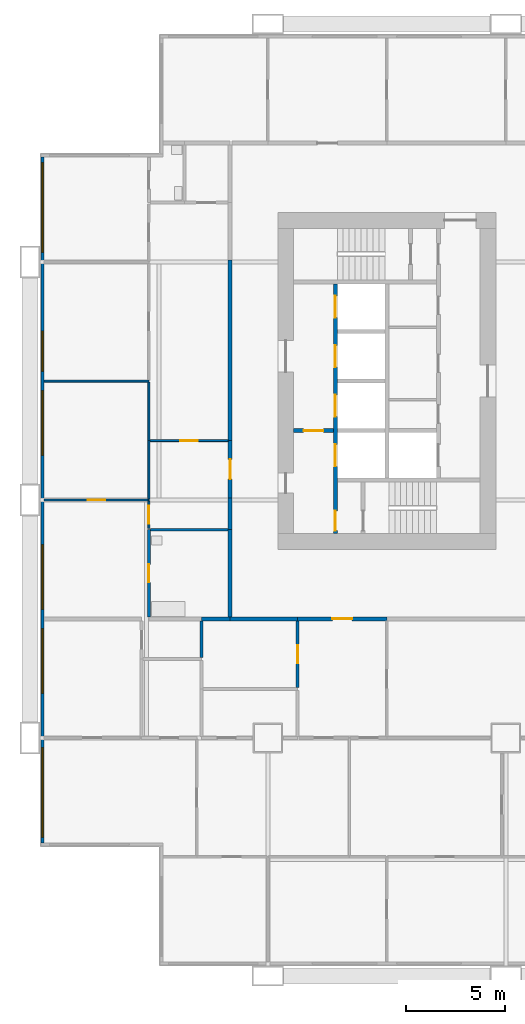
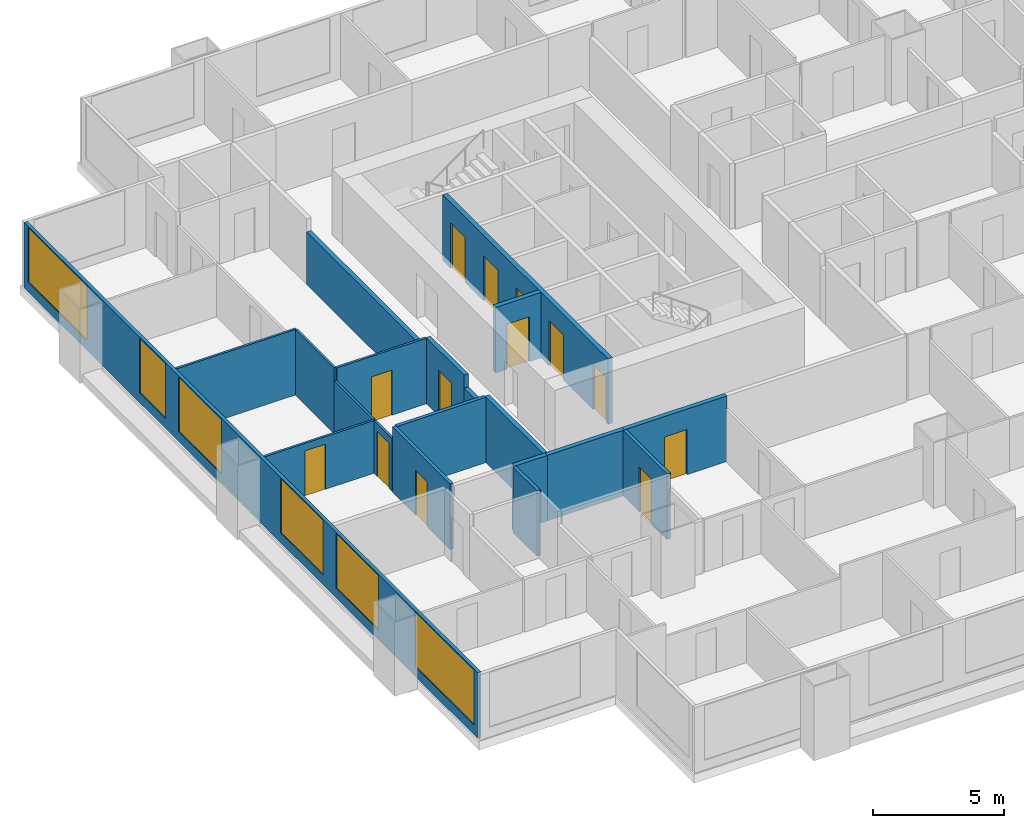
# One storey, part 3 of 14: 20 walls, 13 doors, 6 windows, 19 openings.
"""IFC4 building model written with IfcOpenShell, lengths in metres."""

from ifc_helpers import new_model, si_unit, direction, frame, frame_2d, origin, place, context, subcontext, project, spatial, rectangle, extrude, material, layer, layer_set, type_object, element, fill, save


model = new_model("IFC4")

# Units and contexts
model_context = context("Model", 3, precision=1e-05, world=origin(), true_north=direction((0.0, 1.0)))
body_context = subcontext(model_context, "Body", "Model", "MODEL_VIEW")
ifc_project = project(units=[si_unit("LENGTHUNIT", "METRE"), si_unit("AREAUNIT", "SQUARE_METRE"), si_unit("VOLUMEUNIT", "CUBIC_METRE"), si_unit("PLANEANGLEUNIT", "RADIAN"), si_unit("MASSUNIT", "GRAM", prefix="KILO")], contexts=[model_context])

# Site, building, storey
site_placement = place(None, origin())
site = spatial("IfcSite", under=ifc_project, at=site_placement, CompositionType="ELEMENT")
building_placement = place(site_placement, origin())
building = spatial("IfcBuilding", under=site, at=building_placement, Name="Kitamizu Gate Tower and Museum", CompositionType="ELEMENT")
storey_placement = place(building_placement, frame((0.0, 0.0, 67.949951171875)))
storey = spatial("IfcBuildingStorey", under=building, at=storey_placement, Name="L16", CompositionType="ELEMENT", Elevation=67.949951171875)

# Wall, opening, door
ifc_material_1 = material(Name="Gypsum board on galvanised stud")
ifc_layer_1 = layer(ifc_material_1, 0.10009765625)
ifc_layer_set_1 = layer_set([ifc_layer_1], Name="Gypsum board on galvanised stud")
wall_type_1 = type_object("IfcWallType", Name="Partition 100 NOT RATED", PredefinedType="PARTITIONING", material=ifc_layer_set_1)
wall_1_placement = place(storey_placement, frame((6.0, 24.0, 0.0), z_axis=(0.0, 0.0, 1.0), x_axis=(-1.0, 0.0, 0.0)))
wall_1 = element("IfcWall", 1, at=wall_1_placement, inside=storey, type_object=wall_type_1, Name="Partition L16-128", PredefinedType="PARTITIONING", context=body_context, shape_type="SweptSolid", body=[
    extrude(rectangle(XDim=5.280029296875, YDim=0.10009765625, at=frame_2d((2.64013671875, 0.0))), origin(), (0.0, 0.0, 1.0), 2.449951171875),
])
opening_1_placement = place(wall_1_placement, frame((2.18994140625, 0.0, 0.0)))
opening_1 = element("IfcOpeningElement", 2, at=opening_1_placement, cuts=wall_1, Name="Opening L16-052", PredefinedType="OPENING", context=body_context, shape_type="SweptSolid", body=[
    extrude(rectangle(XDim=0.89990234375, YDim=2.10009765625, at=frame_2d((0.449951171875, 1.050048828125))), frame((0.0, 0.06005859375, 0.0), z_axis=(0.0, -1.0, 0.0), x_axis=(1.0, 0.0, 0.0)), (0.0, 0.0, 1.0), 0.1201171875),
])
ifc_material_2 = material(Name="Timber door set", Category="wood")
door_type_1 = type_object("IfcDoorType", Name="Room door 900", OperationType="NOTDEFINED", PredefinedType="DOOR", material=ifc_material_2)
door_1_placement = place(opening_1_placement, origin())
door_1 = element("IfcDoor", 3, at=door_1_placement, inside=storey, type_object=door_type_1, Name="Door L16-052", OperationType="SINGLE_SWING_RIGHT", OverallHeight=2.10009765625, OverallWidth=0.89990234375, PredefinedType="DOOR", context=body_context, shape_type="SweptSolid", body=[
    extrude(rectangle(XDim=0.89990234375, YDim=2.10009765625, at=frame_2d((0.449951171875, 1.050048828125))), frame((0.0, 0.02490234375, 0.0), z_axis=(0.0, -1.0, 0.0), x_axis=(1.0, 0.0, 0.0)), (0.0, 0.0, 1.0), 0.050048828125),
])
fill(opening_1, door_1)

wall_2_placement = place(storey_placement, frame((6.0, 22.574951171875, 0.0), z_axis=(0.0, 0.0, 1.0), x_axis=(0.0, 1.0, 0.0)))
wall_2 = element("IfcWall", 4, at=wall_2_placement, inside=storey, type_object=wall_type_1, Name="Partition L16-130", PredefinedType="PARTITIONING", context=body_context, shape_type="SweptSolid", body=[
    extrude(rectangle(XDim=1.375, YDim=0.10009765625, at=frame_2d((0.6875, 0.0))), origin(), (0.0, 0.0, 1.0), 2.449951171875),
])
opening_2_placement = place(wall_2_placement, frame((0.237548828125, 0.0, 0.0)))
opening_2 = element("IfcOpeningElement", 5, at=opening_2_placement, cuts=wall_2, Name="Opening L16-048", PredefinedType="OPENING", context=body_context, shape_type="SweptSolid", body=[
    extrude(rectangle(XDim=0.89990234375, YDim=2.10009765625, at=frame_2d((0.449951171875, 1.050048828125))), frame((0.0, 0.06005859375, 0.0), z_axis=(0.0, -1.0, 0.0), x_axis=(1.0, 0.0, 0.0)), (0.0, 0.0, 1.0), 0.1201171875),
])
door_2_placement = place(opening_2_placement, origin())
door_2 = element("IfcDoor", 6, at=door_2_placement, inside=storey, type_object=door_type_1, Name="Door L16-048", OperationType="SINGLE_SWING_LEFT", OverallHeight=2.10009765625, OverallWidth=0.89990234375, PredefinedType="DOOR", context=body_context, shape_type="SweptSolid", body=[
    extrude(rectangle(XDim=0.89990234375, YDim=2.10009765625, at=frame_2d((0.449951171875, 1.050048828125))), frame((0.0, 0.02490234375, 0.0), z_axis=(0.0, -1.0, 0.0), x_axis=(1.0, 0.0, 0.0)), (0.0, 0.0, 1.0), 0.050048828125),
])
fill(opening_2, door_2)

# Walls
wall_3_placement = place(storey_placement, frame((6.0, 30.0, 0.0), z_axis=(0.0, 0.0, 1.0), x_axis=(-1.0, 0.0, 0.0)))
element("IfcWall", 7, at=wall_3_placement, inside=storey, type_object=wall_type_1, Name="Partition L16-131", PredefinedType="PARTITIONING", context=body_context, shape_type="SweptSolid", body=[
    extrude(rectangle(XDim=5.280029296875, YDim=0.10009765625, at=frame_2d((2.64013671875, 0.0))), origin(), (0.0, 0.0, 1.0), 3.050048828125),
])
wall_4_placement = place(storey_placement, frame((6.0, 24.050048828125, 0.0), z_axis=(0.0, 0.0, 1.0), x_axis=(0.0, 1.0, 0.0)))
element("IfcWall", 8, at=wall_4_placement, inside=storey, type_object=wall_type_1, Name="Partition L16-132", PredefinedType="PARTITIONING", context=body_context, shape_type="SweptSolid", body=[
    extrude(rectangle(XDim=2.949951171875, YDim=0.10009765625, at=frame_2d((1.47509765625, 0.0))), origin(), (0.0, 0.0, 1.0), 2.449951171875),
])
wall_5_placement = place(storey_placement, frame((6.0, 27.0, 0.0), z_axis=(0.0, 0.0, 1.0), x_axis=(0.0, 1.0, 0.0)))
element("IfcWall", 9, at=wall_5_placement, inside=storey, type_object=wall_type_1, Name="Partition L16-133", PredefinedType="PARTITIONING", context=body_context, shape_type="SweptSolid", body=[
    extrude(rectangle(XDim=2.949951171875, YDim=0.10009765625, at=frame_2d((1.47509765625, 0.0))), origin(), (0.0, 0.0, 1.0), 3.050048828125),
])

# Wall, opening, door
wall_6_placement = place(storey_placement, frame((10.0, 27.0, 0.0), z_axis=(0.0, 0.0, 1.0), x_axis=(-1.0, 0.0, 0.0)))
wall_6 = element("IfcWall", 10, at=wall_6_placement, inside=storey, type_object=wall_type_1, Name="Partition L16-140", PredefinedType="PARTITIONING", context=body_context, shape_type="SweptSolid", body=[
    extrude(rectangle(XDim=3.949951171875, YDim=0.10009765625, at=frame_2d((1.97509765625, 0.0))), origin(), (0.0, 0.0, 1.0), 3.050048828125),
])
opening_3_placement = place(wall_6_placement, frame((1.52490234375, 0.0, 0.0)))
opening_3 = element("IfcOpeningElement", 11, at=opening_3_placement, cuts=wall_6, Name="Opening L16-049", PredefinedType="OPENING", context=body_context, shape_type="SweptSolid", body=[
    extrude(rectangle(XDim=0.89990234375, YDim=2.10009765625, at=frame_2d((0.449951171875, 1.050048828125))), frame((0.0, 0.06005859375, 0.0), z_axis=(0.0, -1.0, 0.0), x_axis=(1.0, 0.0, 0.0)), (0.0, 0.0, 1.0), 0.1201171875),
])
door_3_placement = place(opening_3_placement, origin())
door_3 = element("IfcDoor", 12, at=door_3_placement, inside=storey, type_object=door_type_1, Name="Door L16-049", OperationType="SINGLE_SWING_RIGHT", OverallHeight=2.10009765625, OverallWidth=0.89990234375, PredefinedType="DOOR", context=body_context, shape_type="SweptSolid", body=[
    extrude(rectangle(XDim=0.89990234375, YDim=2.10009765625, at=frame_2d((0.449951171875, 1.050048828125))), frame((0.0, 0.02490234375, 0.0), z_axis=(0.0, -1.0, 0.0), x_axis=(1.0, 0.0, 0.0)), (0.0, 0.0, 1.0), 0.050048828125),
])
fill(opening_3, door_3)

# Wall
ifc_material_3 = material(Name="Gypsum board on galvanised stud")
ifc_layer_2 = layer(ifc_material_3, 0.14990234375)
ifc_layer_set_2 = layer_set([ifc_layer_2], Name="Gypsum board on galvanised stud")
wall_type_2 = type_object("IfcWallType", Name="Partition 150", PredefinedType="PARTITIONING", material=ifc_layer_set_2)
wall_7_placement = place(storey_placement, frame((8.64404296875, 16.06005859375, 0.0), z_axis=(0.0, 0.0, 1.0), x_axis=(0.0, 1.0, 0.0)))
element("IfcWall", 13, at=wall_7_placement, inside=storey, type_object=wall_type_2, Name="Partition L16-037", PredefinedType="PARTITIONING", context=body_context, shape_type="SweptSolid", body=[
    extrude(rectangle(XDim=1.83984375, YDim=0.14990234375, at=frame_2d((0.919921875, 0.0))), origin(), (0.0, 0.0, 1.0), 3.050048828125),
])

# Wall, opening, door
wall_8_placement = place(storey_placement, frame((13.5, 14.5458984375, 0.0), z_axis=(0.0, 0.0, 1.0), x_axis=(0.0, 1.0, 0.0)))
wall_8 = element("IfcWall", 14, at=wall_8_placement, inside=storey, type_object=wall_type_2, Name="Partition L16-041", PredefinedType="PARTITIONING", context=body_context, shape_type="SweptSolid", body=[
    extrude(rectangle(XDim=3.35400390625, YDim=0.14990234375, at=frame_2d((1.677001953125, 0.0))), origin(), (0.0, 0.0, 1.0), 3.050048828125),
])
opening_4_placement = place(wall_8_placement, frame((1.22705078125, 0.0, 0.0)))
opening_4 = element("IfcOpeningElement", 15, at=opening_4_placement, cuts=wall_8, Name="Opening L16-015", PredefinedType="OPENING", context=body_context, shape_type="SweptSolid", body=[
    extrude(rectangle(XDim=0.89990234375, YDim=2.10009765625, at=frame_2d((0.449951171875, 1.050048828125))), frame((0.0, 0.0849609375, 0.0), z_axis=(0.0, -1.0, 0.0), x_axis=(1.0, 0.0, 0.0)), (0.0, 0.0, 1.0), 0.169921875),
])
ifc_material_4 = material(Name="Timber door set", Category="wood")
door_type_2 = type_object("IfcDoorType", Name="Bathroom door 900", OperationType="NOTDEFINED", PredefinedType="DOOR", material=ifc_material_4)
door_4_placement = place(opening_4_placement, origin())
door_4 = element("IfcDoor", 16, at=door_4_placement, inside=storey, type_object=door_type_2, Name="Bathroom door L16-015", OperationType="SINGLE_SWING_LEFT", OverallHeight=2.10009765625, OverallWidth=0.89990234375, PredefinedType="DOOR", context=body_context, shape_type="SweptSolid", body=[
    extrude(rectangle(XDim=0.89990234375, YDim=2.10009765625, at=frame_2d((0.449951171875, 1.050048828125))), frame((0.0, 0.02490234375, 0.0), z_axis=(0.0, -1.0, 0.0), x_axis=(1.0, 0.0, 0.0)), (0.0, 0.0, 1.0), 0.050048828125),
])
fill(opening_4, door_4)

wall_9_placement = place(storey_placement, frame((6.0, 18.10009765625, 0.0), z_axis=(0.0, 0.0, 1.0), x_axis=(0.0, 1.0, 0.0)))
wall_9 = element("IfcWall", 17, at=wall_9_placement, inside=storey, type_object=wall_type_2, Name="Partition L16-129", PredefinedType="PARTITIONING", context=body_context, shape_type="SweptSolid", body=[
    extrude(rectangle(XDim=4.39990234375, YDim=0.14990234375, at=frame_2d((2.199951171875, 0.0))), origin(), (0.0, 0.0, 1.0), 3.050048828125),
])
opening_5_placement = place(wall_9_placement, frame((1.75, 0.0, 0.0)))
opening_5 = element("IfcOpeningElement", 18, at=opening_5_placement, cuts=wall_9, Name="Opening L16-053", PredefinedType="OPENING", context=body_context, shape_type="SweptSolid", body=[
    extrude(rectangle(XDim=0.89990234375, YDim=2.10009765625, at=frame_2d((0.449951171875, 1.050048828125))), frame((0.0, 0.0849609375, 0.0), z_axis=(0.0, -1.0, 0.0), x_axis=(1.0, 0.0, 0.0)), (0.0, 0.0, 1.0), 0.169921875),
])
door_5_placement = place(opening_5_placement, frame((0.89990234375, 0.0, 0.0), x_axis=(-1.0, 0.0, 0.0)))
door_5 = element("IfcDoor", 19, at=door_5_placement, inside=storey, type_object=door_type_2, Name="Bathroom door L16-053", OperationType="SINGLE_SWING_RIGHT", OverallHeight=2.10009765625, OverallWidth=0.89990234375, PredefinedType="DOOR", context=body_context, shape_type="SweptSolid", body=[
    extrude(rectangle(XDim=0.89990234375, YDim=2.10009765625, at=frame_2d((0.449951171875, 1.050048828125))), frame((0.0, 0.02490234375, 0.0), z_axis=(0.0, -1.0, 0.0), x_axis=(1.0, 0.0, 0.0)), (0.0, 0.0, 1.0), 0.050048828125),
])
fill(opening_5, door_5)

# Walls
wall_10_placement = place(storey_placement, frame((10.0, 22.5, 0.0), z_axis=(0.0, 0.0, 1.0), x_axis=(-1.0, 0.0, 0.0)))
element("IfcWall", 20, at=wall_10_placement, inside=storey, type_object=wall_type_2, Name="Partition L16-138", PredefinedType="PARTITIONING", context=body_context, shape_type="SweptSolid", body=[
    extrude(rectangle(XDim=3.925048828125, YDim=0.14990234375, at=frame_2d((1.96240234375, 0.0))), origin(), (0.0, 0.0, 1.0), 3.050048828125),
])
ifc_material_5 = material(Name="Gypsum board on galvanised stud")
ifc_layer_3 = layer(ifc_material_5, 0.199951171875)
ifc_layer_set_3 = layer_set([ifc_layer_3], Name="Gypsum board on galvanised stud")
wall_type_3 = type_object("IfcWallType", Name="Partition 200", PredefinedType="PARTITIONING", material=ifc_layer_set_3)
wall_11_placement = place(storey_placement, frame((10.10009765625, 18.0, 0.0), z_axis=(0.0, 0.0, 1.0), x_axis=(-1.0, 0.0, 0.0)))
element("IfcWall", 21, at=wall_11_placement, inside=storey, type_object=wall_type_3, Name="Partition L16-042", PredefinedType="PARTITIONING", context=body_context, shape_type="SweptSolid", body=[
    extrude(rectangle(XDim=1.4560546875, YDim=0.199951171875, at=frame_2d((0.72802734375, 0.0))), origin(), (0.0, 0.0, 1.0), 3.050048828125),
])
wall_12_placement = place(storey_placement, frame((13.5, 18.0, 0.0), z_axis=(0.0, 0.0, 1.0), x_axis=(-1.0, 0.0, 0.0)))
element("IfcWall", 22, at=wall_12_placement, inside=storey, type_object=wall_type_3, Name="Partition L16-043", PredefinedType="PARTITIONING", context=body_context, shape_type="SweptSolid", body=[
    extrude(rectangle(XDim=3.39990234375, YDim=0.199951171875, at=frame_2d((1.699951171875, 0.0))), origin(), (0.0, 0.0, 1.0), 3.050048828125),
])

# Wall, opening, door
wall_13_placement = place(storey_placement, frame((18.0, 18.0, 0.0), z_axis=(0.0, 0.0, 1.0), x_axis=(-1.0, 0.0, 0.0)))
wall_13 = element("IfcWall", 23, at=wall_13_placement, inside=storey, type_object=wall_type_3, Name="Partition L16-045", PredefinedType="PARTITIONING", context=body_context, shape_type="SweptSolid", body=[
    extrude(rectangle(XDim=4.5, YDim=0.199951171875, at=frame_2d((2.25, 0.0))), origin(), (0.0, 0.0, 1.0), 3.050048828125),
])
opening_6_placement = place(wall_13_placement, frame((1.75, 0.0, 0.0)))
opening_6 = element("IfcOpeningElement", 24, at=opening_6_placement, cuts=wall_13, Name="Opening L16-001", PredefinedType="OPENING", context=body_context, shape_type="SweptSolid", body=[
    extrude(rectangle(XDim=1.0, YDim=2.10009765625, at=frame_2d((0.5, 1.050048828125))), frame((0.0, 0.10986328125, 0.0), z_axis=(0.0, -1.0, 0.0), x_axis=(1.0, 0.0, 0.0)), (0.0, 0.0, 1.0), 0.219970703125),
])
ifc_material_6 = material(Name="Timber door set", Category="wood")
door_type_3 = type_object("IfcDoorType", Name="Flat entrance door 1000", OperationType="NOTDEFINED", PredefinedType="DOOR", material=ifc_material_6)
door_6_placement = place(opening_6_placement, origin())
door_6 = element("IfcDoor", 25, at=door_6_placement, inside=storey, type_object=door_type_3, Name="Flat entrance door L16-001", OperationType="SINGLE_SWING_RIGHT", OverallHeight=2.10009765625, OverallWidth=1.0, PredefinedType="DOOR", context=body_context, shape_type="SweptSolid", body=[
    extrude(rectangle(XDim=1.0, YDim=2.10009765625, at=frame_2d((0.5, 1.050048828125))), frame((0.0, 0.02490234375, 0.0), z_axis=(0.0, -1.0, 0.0), x_axis=(1.0, 0.0, 0.0)), (0.0, 0.0, 1.0), 0.050048828125),
])
fill(opening_6, door_6)

# Walls
wall_14_placement = place(storey_placement, frame((10.10009765625, 18.10009765625, 0.0), z_axis=(0.0, 0.0, 1.0), x_axis=(0.0, 1.0, 0.0)))
element("IfcWall", 26, at=wall_14_placement, inside=storey, type_object=wall_type_3, Name="Partition L16-139", PredefinedType="PARTITIONING", context=body_context, shape_type="SweptSolid", body=[
    extrude(rectangle(XDim=4.39990234375, YDim=0.199951171875, at=frame_2d((2.199951171875, 0.0))), origin(), (0.0, 0.0, 1.0), 3.050048828125),
])
wall_15_placement = place(storey_placement, frame((10.10009765625, 22.5, 0.0), z_axis=(0.0, 0.0, 1.0), x_axis=(0.0, 1.0, 0.0)))
element("IfcWall", 27, at=wall_15_placement, inside=storey, type_object=wall_type_3, Name="Partition L16-141", PredefinedType="PARTITIONING", context=body_context, shape_type="SweptSolid", body=[
    extrude(rectangle(XDim=1.60009765625, YDim=0.199951171875, at=frame_2d((0.800048828125, 0.0))), origin(), (0.0, 0.0, 1.0), 2.449951171875),
])

# Wall, opening, door
wall_16_placement = place(storey_placement, frame((10.10009765625, 24.10009765625, 0.0), z_axis=(0.0, 0.0, 1.0), x_axis=(0.0, 1.0, 0.0)))
wall_16 = element("IfcWall", 28, at=wall_16_placement, inside=storey, type_object=wall_type_3, Name="Partition L16-142", PredefinedType="PARTITIONING", context=body_context, shape_type="SweptSolid", body=[
    extrude(rectangle(XDim=2.89990234375, YDim=0.199951171875, at=frame_2d((1.449951171875, 0.0))), origin(), (0.0, 0.0, 1.0), 3.050048828125),
])
opening_7_placement = place(wall_16_placement, frame((0.949951171875, 0.0, 0.0)))
opening_7 = element("IfcOpeningElement", 29, at=opening_7_placement, cuts=wall_16, Name="Opening L16-047", PredefinedType="OPENING", context=body_context, shape_type="SweptSolid", body=[
    extrude(rectangle(XDim=1.0, YDim=2.10009765625, at=frame_2d((0.5, 1.050048828125))), frame((0.0, 0.10986328125, 0.0), z_axis=(0.0, -1.0, 0.0), x_axis=(1.0, 0.0, 0.0)), (0.0, 0.0, 1.0), 0.219970703125),
])
door_7_placement = place(opening_7_placement, origin())
door_7 = element("IfcDoor", 30, at=door_7_placement, inside=storey, type_object=door_type_3, Name="Flat entrance door L16-047", OperationType="SINGLE_SWING_LEFT", OverallHeight=2.10009765625, OverallWidth=1.0, PredefinedType="DOOR", context=body_context, shape_type="SweptSolid", body=[
    extrude(rectangle(XDim=1.0, YDim=2.10009765625, at=frame_2d((0.5, 1.050048828125))), frame((0.0, 0.02490234375, 0.0), z_axis=(0.0, -1.0, 0.0), x_axis=(1.0, 0.0, 0.0)), (0.0, 0.0, 1.0), 0.050048828125),
])
fill(opening_7, door_7)

# Wall
wall_17_placement = place(storey_placement, frame((10.10009765625, 27.0, 0.0), z_axis=(0.0, 0.0, 1.0), x_axis=(0.0, 1.0, 0.0)))
element("IfcWall", 31, at=wall_17_placement, inside=storey, type_object=wall_type_3, Name="Partition L16-145", PredefinedType="PARTITIONING", context=body_context, shape_type="SweptSolid", body=[
    extrude(rectangle(XDim=9.10009765625, YDim=0.199951171875, at=frame_2d((4.550048828125, 0.0))), origin(), (0.0, 0.0, 1.0), 2.449951171875),
])

# Wall, openings, doors
ifc_material_7 = material(Name="Concrete Fc42", Category="concrete")
ifc_layer_4 = layer(ifc_material_7, 0.199951171875)
ifc_layer_set_4 = layer_set([ifc_layer_4], Name="Concrete Fc42")
wall_type_4 = type_object("IfcWallType", Name="Shaft wall 200", PredefinedType="SOLIDWALL", material=ifc_layer_set_4)
wall_18_placement = place(storey_placement, frame((15.39990234375, 22.300048828125, 0.0), z_axis=(0.0, 0.0, 1.0), x_axis=(0.0, 1.0, 0.0)))
wall_18 = element("IfcWall", 32, at=wall_18_placement, inside=storey, type_object=wall_type_4, Name="Shaft wall WWEST", PredefinedType="SOLIDWALL", context=body_context, shape_type="SweptSolid", body=[
    extrude(rectangle(XDim=12.599853515625, YDim=0.199951171875, at=frame_2d((6.2998046875, 0.0))), origin(), (0.0, 0.0, 1.0), 3.050048828125),
])
opening_8_placement = place(wall_18_placement, frame((3.39990234375, 0.0, 0.0)))
opening_8 = element("IfcOpeningElement", 33, at=opening_8_placement, cuts=wall_18, Name="Opening LD", PredefinedType="OPENING", context=body_context, shape_type="SweptSolid", body=[
    extrude(rectangle(XDim=1.10009765625, YDim=2.10009765625, at=frame_2d((0.550048828125, 1.050048828125))), frame((0.0, 0.10986328125, 0.0), z_axis=(0.0, -1.0, 0.0), x_axis=(1.0, 0.0, 0.0)), (0.0, 0.0, 1.0), 0.219970703125),
])
opening_9_placement = place(wall_18_placement, frame((5.89990234375, 0.0, 0.0)))
opening_9 = element("IfcOpeningElement", 34, at=opening_9_placement, cuts=wall_18, Name="Opening LD", PredefinedType="OPENING", context=body_context, shape_type="SweptSolid", body=[
    extrude(rectangle(XDim=1.10009765625, YDim=2.10009765625, at=frame_2d((0.550048828125, 1.050048828125))), frame((0.0, 0.10986328125, 0.0), z_axis=(0.0, -1.0, 0.0), x_axis=(1.0, 0.0, 0.0)), (0.0, 0.0, 1.0), 0.219970703125),
])
opening_10_placement = place(wall_18_placement, frame((8.39990234375, 0.0, 0.0)))
opening_10 = element("IfcOpeningElement", 35, at=opening_10_placement, cuts=wall_18, Name="Opening LD", PredefinedType="OPENING", context=body_context, shape_type="SweptSolid", body=[
    extrude(rectangle(XDim=1.10009765625, YDim=2.10009765625, at=frame_2d((0.550048828125, 1.050048828125))), frame((0.0, 0.10986328125, 0.0), z_axis=(0.0, -1.0, 0.0), x_axis=(1.0, 0.0, 0.0)), (0.0, 0.0, 1.0), 0.219970703125),
])
opening_11_placement = place(wall_18_placement, frame((10.89990234375, 0.0, 0.0)))
opening_11 = element("IfcOpeningElement", 36, at=opening_11_placement, cuts=wall_18, Name="Opening LD", PredefinedType="OPENING", context=body_context, shape_type="SweptSolid", body=[
    extrude(rectangle(XDim=1.10009765625, YDim=2.10009765625, at=frame_2d((0.550048828125, 1.050048828125))), frame((0.0, 0.10986328125, 0.0), z_axis=(0.0, -1.0, 0.0), x_axis=(1.0, 0.0, 0.0)), (0.0, 0.0, 1.0), 0.219970703125),
])
opening_12_placement = place(wall_18_placement, frame((0.14990234375, 0.0, 0.0)))
opening_12 = element("IfcOpeningElement", 37, at=opening_12_placement, cuts=wall_18, Name="Opening L16-086", PredefinedType="OPENING", context=body_context, shape_type="SweptSolid", body=[
    extrude(rectangle(XDim=1.0, YDim=2.10009765625, at=frame_2d((0.5, 1.050048828125))), frame((0.0, 0.10986328125, 0.0), z_axis=(0.0, -1.0, 0.0), x_axis=(1.0, 0.0, 0.0)), (0.0, 0.0, 1.0), 0.219970703125),
])
ifc_material_8 = material(Name="Hollow metal door set")
door_type_4 = type_object("IfcDoorType", Name="Fire door 1000", OperationType="NOTDEFINED", PredefinedType="DOOR", material=ifc_material_8)
door_8_placement = place(opening_12_placement, frame((1.0, 0.0, 0.0), x_axis=(-1.0, 0.0, 0.0)))
door_8 = element("IfcDoor", 38, at=door_8_placement, inside=storey, type_object=door_type_4, Name="Stair lobby door L16-086", OperationType="SINGLE_SWING_LEFT", OverallHeight=2.10009765625, OverallWidth=1.0, PredefinedType="DOOR", context=body_context, shape_type="SweptSolid", body=[
    extrude(rectangle(XDim=1.0, YDim=2.10009765625, at=frame_2d((0.5, 1.050048828125))), frame((0.0, 0.02490234375, 0.0), z_axis=(0.0, -1.0, 0.0), x_axis=(1.0, 0.0, 0.0)), (0.0, 0.0, 1.0), 0.050048828125),
])
fill(opening_12, door_8)
ifc_material_9 = material(Name="Hollow metal door set")
door_type_5 = type_object("IfcDoorType", Name="Landing door 1100", OperationType="SLIDING_TO_LEFT", PredefinedType="DOOR", material=ifc_material_9)
door_9_placement = place(opening_8_placement, origin())
door_9 = element("IfcDoor", 39, at=door_9_placement, inside=storey, type_object=door_type_5, Name="Landing door WFF1", OperationType="SLIDING_TO_LEFT", OverallHeight=2.10009765625, OverallWidth=1.10009765625, PredefinedType="DOOR", context=body_context, shape_type="SweptSolid", body=[
    extrude(rectangle(XDim=1.10009765625, YDim=2.10009765625, at=frame_2d((0.550048828125, 1.050048828125))), frame((0.0, 0.02490234375, 0.0), z_axis=(0.0, -1.0, 0.0), x_axis=(1.0, 0.0, 0.0)), (0.0, 0.0, 1.0), 0.050048828125),
])
fill(opening_8, door_9)
door_10_placement = place(opening_9_placement, origin())
door_10 = element("IfcDoor", 40, at=door_10_placement, inside=storey, type_object=door_type_5, Name="Landing door WL1", OperationType="SLIDING_TO_LEFT", OverallHeight=2.10009765625, OverallWidth=1.10009765625, PredefinedType="DOOR", context=body_context, shape_type="SweptSolid", body=[
    extrude(rectangle(XDim=1.10009765625, YDim=2.10009765625, at=frame_2d((0.550048828125, 1.050048828125))), frame((0.0, 0.02490234375, 0.0), z_axis=(0.0, -1.0, 0.0), x_axis=(1.0, 0.0, 0.0)), (0.0, 0.0, 1.0), 0.050048828125),
])
fill(opening_9, door_10)
door_11_placement = place(opening_10_placement, origin())
door_11 = element("IfcDoor", 41, at=door_11_placement, inside=storey, type_object=door_type_5, Name="Landing door WL2", OperationType="SLIDING_TO_LEFT", OverallHeight=2.10009765625, OverallWidth=1.10009765625, PredefinedType="DOOR", context=body_context, shape_type="SweptSolid", body=[
    extrude(rectangle(XDim=1.10009765625, YDim=2.10009765625, at=frame_2d((0.550048828125, 1.050048828125))), frame((0.0, 0.02490234375, 0.0), z_axis=(0.0, -1.0, 0.0), x_axis=(1.0, 0.0, 0.0)), (0.0, 0.0, 1.0), 0.050048828125),
])
fill(opening_10, door_11)
door_12_placement = place(opening_11_placement, origin())
door_12 = element("IfcDoor", 42, at=door_12_placement, inside=storey, type_object=door_type_5, Name="Landing door WL3", OperationType="SLIDING_TO_LEFT", OverallHeight=2.10009765625, OverallWidth=1.10009765625, PredefinedType="DOOR", context=body_context, shape_type="SweptSolid", body=[
    extrude(rectangle(XDim=1.10009765625, YDim=2.10009765625, at=frame_2d((0.550048828125, 1.050048828125))), frame((0.0, 0.02490234375, 0.0), z_axis=(0.0, -1.0, 0.0), x_axis=(1.0, 0.0, 0.0)), (0.0, 0.0, 1.0), 0.050048828125),
])
fill(opening_11, door_12)

# Wall, opening, door
wall_19_placement = place(storey_placement, frame((13.300048828125, 27.5, 0.0), z_axis=(0.0, 0.0, 1.0), x_axis=(1.0, 0.0, 0.0)))
wall_19 = element("IfcWall", 43, at=wall_19_placement, inside=storey, type_object=wall_type_4, Name="Shaft wall WFFN", PredefinedType="SOLIDWALL", context=body_context, shape_type="SweptSolid", body=[
    extrude(rectangle(XDim=2.0, YDim=0.199951171875, at=frame_2d((1.0, 0.0))), origin(), (0.0, 0.0, 1.0), 3.050048828125),
])
opening_13_placement = place(wall_19_placement, frame((0.5, 0.0, 0.0)))
opening_13 = element("IfcOpeningElement", 44, at=opening_13_placement, cuts=wall_19, Name="Opening L16-089", PredefinedType="OPENING", context=body_context, shape_type="SweptSolid", body=[
    extrude(rectangle(XDim=1.0, YDim=2.10009765625, at=frame_2d((0.5, 1.050048828125))), frame((0.0, 0.10986328125, 0.0), z_axis=(0.0, -1.0, 0.0), x_axis=(1.0, 0.0, 0.0)), (0.0, 0.0, 1.0), 0.219970703125),
])
door_13_placement = place(opening_13_placement, frame((1.0, 0.0, 0.0), x_axis=(-1.0, 0.0, 0.0)))
door_13 = element("IfcDoor", 45, at=door_13_placement, inside=storey, type_object=door_type_4, Name="Fire-fighting lobby door L16-089", OperationType="SINGLE_SWING_LEFT", OverallHeight=2.10009765625, OverallWidth=1.0, PredefinedType="DOOR", context=body_context, shape_type="SweptSolid", body=[
    extrude(rectangle(XDim=1.0, YDim=2.10009765625, at=frame_2d((0.5, 1.050048828125))), frame((0.0, 0.02490234375, 0.0), z_axis=(0.0, -1.0, 0.0), x_axis=(1.0, 0.0, 0.0)), (0.0, 0.0, 1.0), 0.050048828125),
])
fill(opening_13, door_13)

# Wall, openings, windows
ifc_material_10 = material(Name="Bronze anodised aluminium frame with insulated spandrel and tinted glass", Category="aluminium")
ifc_layer_5 = layer(ifc_material_10, 0.14990234375)
ifc_layer_set_5 = layer_set([ifc_layer_5], Name="Bronze anodised aluminium frame with insulated spandrel and tinted glass")
wall_type_5 = type_object("IfcWallType", Name="WINDOW WALL 150 BRONZE FRAME EI 30", PredefinedType="ELEMENTEDWALL", material=ifc_layer_set_5)
wall_20_placement = place(storey_placement, frame((0.635009765625, 6.7099609375, 0.0), z_axis=(0.0, 0.0, 1.0), x_axis=(0.0, 1.0, 0.0)))
wall_20 = element("IfcWall", 46, at=wall_20_placement, inside=storey, type_object=wall_type_5, Name="Window wall west L16", PredefinedType="ELEMENTEDWALL", context=body_context, shape_type="SweptSolid", body=[
    extrude(rectangle(XDim=34.580078125, YDim=0.14990234375, at=frame_2d((17.2900390625, 0.0))), origin(), (0.0, 0.0, 1.0), 3.050048828125),
])
opening_14_placement = place(wall_20_placement, frame((0.2900390625, 0.0, 0.449951171875)))
opening_14 = element("IfcOpeningElement", 47, at=opening_14_placement, cuts=wall_20, Name="Opening W15", PredefinedType="OPENING", context=body_context, shape_type="SweptSolid", body=[
    extrude(rectangle(XDim=4.5, YDim=2.550048828125, at=frame_2d((2.25, 1.27490234375))), frame((0.0, 0.0849609375, 0.0), z_axis=(0.0, -1.0, 0.0), x_axis=(1.0, 0.0, 0.0)), (0.0, 0.0, 1.0), 0.169921875),
])
opening_15_placement = place(wall_20_placement, frame((7.5400390625, 0.0, 0.449951171875)))
opening_15 = element("IfcOpeningElement", 48, at=opening_15_placement, cuts=wall_20, Name="Opening W34", PredefinedType="OPENING", context=body_context, shape_type="SweptSolid", body=[
    extrude(rectangle(XDim=3.25, YDim=2.550048828125, at=frame_2d((1.625, 1.27490234375))), frame((0.0, 0.0849609375, 0.0), z_axis=(0.0, -1.0, 0.0), x_axis=(1.0, 0.0, 0.0)), (0.0, 0.0, 1.0), 0.169921875),
])
opening_16_placement = place(wall_20_placement, frame((11.7900390625, 0.0, 0.449951171875)))
opening_16 = element("IfcOpeningElement", 49, at=opening_16_placement, cuts=wall_20, Name="Opening W34", PredefinedType="OPENING", context=body_context, shape_type="SweptSolid", body=[
    extrude(rectangle(XDim=3.25, YDim=2.550048828125, at=frame_2d((1.625, 1.27490234375))), frame((0.0, 0.0849609375, 0.0), z_axis=(0.0, -1.0, 0.0), x_axis=(1.0, 0.0, 0.0)), (0.0, 0.0, 1.0), 0.169921875),
])
opening_17_placement = place(wall_20_placement, frame((19.5400390625, 0.0, 0.449951171875)))
opening_17 = element("IfcOpeningElement", 50, at=opening_17_placement, cuts=wall_20, Name="Opening W34", PredefinedType="OPENING", context=body_context, shape_type="SweptSolid", body=[
    extrude(rectangle(XDim=3.25, YDim=2.550048828125, at=frame_2d((1.625, 1.27490234375))), frame((0.0, 0.0849609375, 0.0), z_axis=(0.0, -1.0, 0.0), x_axis=(1.0, 0.0, 0.0)), (0.0, 0.0, 1.0), 0.169921875),
])
opening_18_placement = place(wall_20_placement, frame((23.7900390625, 0.0, 0.449951171875)))
opening_18 = element("IfcOpeningElement", 51, at=opening_18_placement, cuts=wall_20, Name="Opening W2", PredefinedType="OPENING", context=body_context, shape_type="SweptSolid", body=[
    extrude(rectangle(XDim=2.0, YDim=2.550048828125, at=frame_2d((1.0, 1.27490234375))), frame((0.0, 0.0849609375, 0.0), z_axis=(0.0, -1.0, 0.0), x_axis=(1.0, 0.0, 0.0)), (0.0, 0.0, 1.0), 0.169921875),
])
opening_19_placement = place(wall_20_placement, frame((29.7900390625, 0.0, 0.449951171875)))
opening_19 = element("IfcOpeningElement", 52, at=opening_19_placement, cuts=wall_20, Name="Opening W15", PredefinedType="OPENING", context=body_context, shape_type="SweptSolid", body=[
    extrude(rectangle(XDim=4.5, YDim=2.550048828125, at=frame_2d((2.25, 1.27490234375))), frame((0.0, 0.0849609375, 0.0), z_axis=(0.0, -1.0, 0.0), x_axis=(1.0, 0.0, 0.0)), (0.0, 0.0, 1.0), 0.169921875),
])
ifc_material_11 = material(Name="Bronze anodised aluminium frame, tinted triple glazing", Category="aluminium")
window_type_1 = type_object("IfcWindowType", Name="WINDOW 2000 x 2550 SILL 450", PartitioningType="SINGLE_PANEL", PredefinedType="WINDOW", material=ifc_material_11)
window_1_placement = place(opening_18_placement, origin())
window_1 = element("IfcWindow", 53, at=window_1_placement, inside=storey, type_object=window_type_1, Name="Window W2 L16", OverallHeight=2.550048828125, OverallWidth=2.0, PartitioningType="SINGLE_PANEL", PredefinedType="WINDOW", context=body_context, shape_type="SweptSolid", body=[
    extrude(rectangle(XDim=2.0, YDim=2.550048828125, at=frame_2d((1.0, 1.27490234375))), frame((0.0, 0.030029296875, 0.0), z_axis=(0.0, -1.0, 0.0), x_axis=(1.0, 0.0, 0.0)), (0.0, 0.0, 1.0), 0.06005859375),
])
fill(opening_18, window_1)
ifc_material_12 = material(Name="Bronze anodised aluminium frame, tinted triple glazing", Category="aluminium")
window_type_2 = type_object("IfcWindowType", Name="WINDOW 3250 x 2550 SILL 450", PartitioningType="SINGLE_PANEL", PredefinedType="WINDOW", material=ifc_material_12)
window_2_placement = place(opening_15_placement, origin())
window_2 = element("IfcWindow", 54, at=window_2_placement, inside=storey, type_object=window_type_2, Name="Window W34 L16", OverallHeight=2.550048828125, OverallWidth=3.25, PartitioningType="SINGLE_PANEL", PredefinedType="WINDOW", context=body_context, shape_type="SweptSolid", body=[
    extrude(rectangle(XDim=3.25, YDim=2.550048828125, at=frame_2d((1.625, 1.27490234375))), frame((0.0, 0.030029296875, 0.0), z_axis=(0.0, -1.0, 0.0), x_axis=(1.0, 0.0, 0.0)), (0.0, 0.0, 1.0), 0.06005859375),
])
fill(opening_15, window_2)
window_3_placement = place(opening_16_placement, origin())
window_3 = element("IfcWindow", 55, at=window_3_placement, inside=storey, type_object=window_type_2, Name="Window W34 L16", OverallHeight=2.550048828125, OverallWidth=3.25, PartitioningType="SINGLE_PANEL", PredefinedType="WINDOW", context=body_context, shape_type="SweptSolid", body=[
    extrude(rectangle(XDim=3.25, YDim=2.550048828125, at=frame_2d((1.625, 1.27490234375))), frame((0.0, 0.030029296875, 0.0), z_axis=(0.0, -1.0, 0.0), x_axis=(1.0, 0.0, 0.0)), (0.0, 0.0, 1.0), 0.06005859375),
])
fill(opening_16, window_3)
window_4_placement = place(opening_17_placement, origin())
window_4 = element("IfcWindow", 56, at=window_4_placement, inside=storey, type_object=window_type_2, Name="Window W34 L16", OverallHeight=2.550048828125, OverallWidth=3.25, PartitioningType="SINGLE_PANEL", PredefinedType="WINDOW", context=body_context, shape_type="SweptSolid", body=[
    extrude(rectangle(XDim=3.25, YDim=2.550048828125, at=frame_2d((1.625, 1.27490234375))), frame((0.0, 0.030029296875, 0.0), z_axis=(0.0, -1.0, 0.0), x_axis=(1.0, 0.0, 0.0)), (0.0, 0.0, 1.0), 0.06005859375),
])
fill(opening_17, window_4)
ifc_material_13 = material(Name="Bronze anodised aluminium frame, tinted triple glazing", Category="aluminium")
window_type_3 = type_object("IfcWindowType", Name="WINDOW 4500 x 2550 SILL 450", PartitioningType="SINGLE_PANEL", PredefinedType="WINDOW", material=ifc_material_13)
window_5_placement = place(opening_14_placement, origin())
window_5 = element("IfcWindow", 57, at=window_5_placement, inside=storey, type_object=window_type_3, Name="Window W15 L16", OverallHeight=2.550048828125, OverallWidth=4.5, PartitioningType="SINGLE_PANEL", PredefinedType="WINDOW", context=body_context, shape_type="SweptSolid", body=[
    extrude(rectangle(XDim=4.5, YDim=2.550048828125, at=frame_2d((2.25, 1.27490234375))), frame((0.0, 0.030029296875, 0.0), z_axis=(0.0, -1.0, 0.0), x_axis=(1.0, 0.0, 0.0)), (0.0, 0.0, 1.0), 0.06005859375),
])
fill(opening_14, window_5)
window_6_placement = place(opening_19_placement, origin())
window_6 = element("IfcWindow", 58, at=window_6_placement, inside=storey, type_object=window_type_3, Name="Window W15 L16", OverallHeight=2.550048828125, OverallWidth=4.5, PartitioningType="SINGLE_PANEL", PredefinedType="WINDOW", context=body_context, shape_type="SweptSolid", body=[
    extrude(rectangle(XDim=4.5, YDim=2.550048828125, at=frame_2d((2.25, 1.27490234375))), frame((0.0, 0.030029296875, 0.0), z_axis=(0.0, -1.0, 0.0), x_axis=(1.0, 0.0, 0.0)), (0.0, 0.0, 1.0), 0.06005859375),
])
fill(opening_19, window_6)

save(model, "model.ifc")
